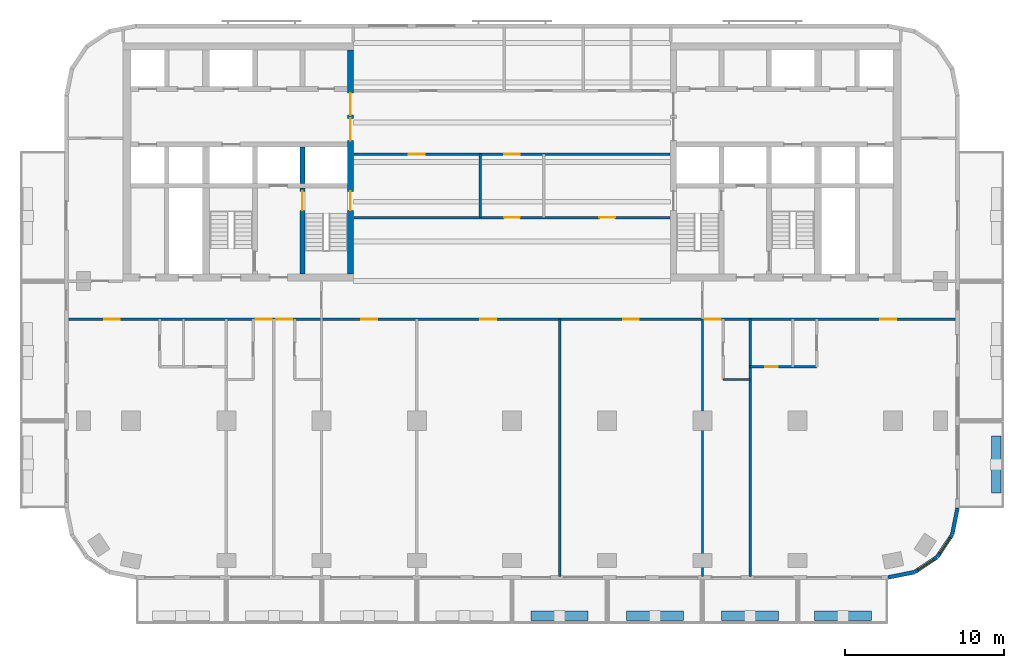
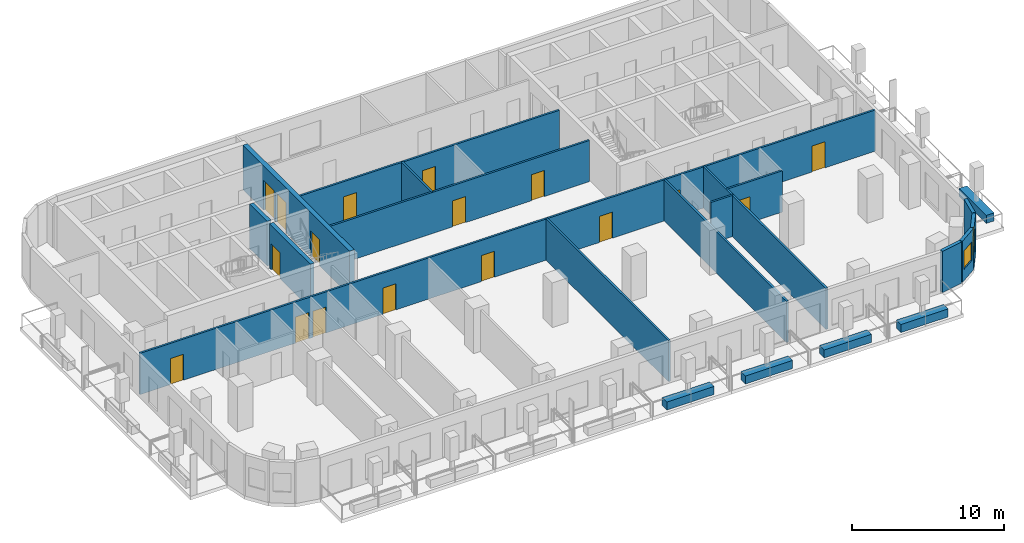
# One storey, part 4 of 11: 21 walls, 17 doors, 2 windows, 19 openings.
"""IFC4 building model written with IfcOpenShell, lengths in metres."""

from ifc_helpers import new_model, si_unit, direction, frame, frame_2d, origin, place, context, subcontext, project, spatial, rectangle, extrude, material, layer, layer_set, type_object, element, fill, save


model = new_model("IFC4")

# Units and contexts
model_context = context("Model", 3, precision=1e-05, world=origin(), true_north=direction((0.0, 1.0)))
body_context = subcontext(model_context, "Body", "Model", "MODEL_VIEW")
ifc_project = project(units=[si_unit("LENGTHUNIT", "METRE"), si_unit("AREAUNIT", "SQUARE_METRE"), si_unit("VOLUMEUNIT", "CUBIC_METRE"), si_unit("PLANEANGLEUNIT", "RADIAN"), si_unit("MASSUNIT", "GRAM", prefix="KILO")], contexts=[model_context])

# Site, building, storey
site_placement = place(None, origin())
site = spatial("IfcSite", under=ifc_project, at=site_placement, CompositionType="ELEMENT")
building_placement = place(site_placement, origin())
building = spatial("IfcBuilding", under=site, at=building_placement, Name="Torana Hotel and Residences", CompositionType="ELEMENT")
storey_placement = place(building_placement, frame((0.0, 0.0, 141.60009765625)))
storey = spatial("IfcBuildingStorey", under=building, at=storey_placement, Name="L36", CompositionType="ELEMENT", Elevation=141.60009765625)

# Wall
ifc_material_1 = material(Name="Concrete C70/85", Category="concrete")
ifc_layer_1 = layer(ifc_material_1, 0.300048828125)
ifc_layer_set_1 = layer_set([ifc_layer_1], Name="CORE WALL 300 C70/85")
wall_type_1 = type_object("IfcWallType", Name="CORE WALL 300 C70/85", PredefinedType="SHEAR", material=ifc_layer_set_1)
wall_1_placement = place(storey_placement, frame((-13.199951171875, -8.85009765625, 0.0), z_axis=(0.0, 0.0, 1.0), x_axis=(0.0, 1.0, 0.0)))
element("IfcWall", 1, at=wall_1_placement, inside=storey, type_object=wall_type_1, Name="Core wall W x3.05-S", PredefinedType="SHEAR", context=body_context, shape_type="SweptSolid", body=[
    extrude(rectangle(XDim=2.300048828125, YDim=0.300048828125, at=frame_2d((1.14990234375, 0.0))), origin(), (0.0, 0.0, 1.0), 3.599853515625),
])

# Wall, opening, door
wall_2_placement = place(storey_placement, frame((-13.199951171875, -14.550048828125, 0.0), z_axis=(0.0, 0.0, 1.0), x_axis=(0.0, 1.0, 0.0)))
wall_2 = element("IfcWall", 2, at=wall_2_placement, inside=storey, type_object=wall_type_1, Name="Core wall W x3.05-band", PredefinedType="SHEAR", context=body_context, shape_type="SweptSolid", body=[
    extrude(rectangle(XDim=5.400146484375, YDim=0.300048828125, at=frame_2d((2.7001953125, 0.0))), origin(), (0.0, 0.0, 1.0), 3.599853515625),
])
opening_1_placement = place(wall_2_placement, frame((4.0, 0.0, 0.0)))
opening_1 = element("IfcOpeningElement", 3, at=opening_1_placement, cuts=wall_2, Name="Opening L36-12", PredefinedType="OPENING", context=body_context, shape_type="SweptSolid", body=[
    extrude(rectangle(XDim=1.199951171875, YDim=2.10009765625, at=frame_2d((0.60009765625, 1.050048828125))), frame((0.0, 0.159912109375, 0.0), z_axis=(0.0, -1.0, 0.0), x_axis=(1.0, 0.0, 0.0)), (0.0, 0.0, 1.0), 0.320068359375),
])
ifc_material_2 = material(Name="Steel S235", Category="steel")
door_type_1 = type_object("IfcDoorType", Name="STAIR FIRE DOOR D3 1200x2100", OperationType="SINGLE_SWING_LEFT", PredefinedType="DOOR", material=ifc_material_2)
door_1_placement = place(opening_1_placement, frame((0.60009765625, 0.0, 0.0), z_axis=(0.0, 0.0, 1.0), x_axis=(-1.0, 0.0, 0.0)))
door_1 = element("IfcDoor", 4, at=door_1_placement, inside=storey, type_object=door_type_1, Name="Stair-A-lobby door L36", OperationType="SINGLE_SWING_RIGHT", OverallHeight=2.10009765625, OverallWidth=1.199951171875, PredefinedType="DOOR", context=body_context, shape_type="SweptSolid", body=[
    extrude(rectangle(XDim=1.199951171875, YDim=2.10009765625, at=frame_2d((0.0, 1.050048828125))), frame((0.0, -0.02490234375, 0.0), z_axis=(0.0, 1.0, 0.0), x_axis=(-1.0, 0.0, 0.0)), (0.0, 0.0, 1.0), 0.050048828125),
])
fill(opening_1, door_1)

# Wall, openings, doors
ifc_material_3 = material(Name="Concrete C70/85", Category="concrete")
ifc_layer_2 = layer(ifc_material_3, 0.35009765625)
ifc_layer_set_2 = layer_set([ifc_layer_2], Name="CORE WALL 350 C70/85")
wall_type_2 = type_object("IfcWallType", Name="CORE WALL 350 C70/85", PredefinedType="SHEAR", material=ifc_layer_set_2)
wall_3_placement = place(storey_placement, frame((-10.175048828125, -14.550048828125, 0.0), z_axis=(0.0, 0.0, 1.0), x_axis=(0.0, 1.0, 0.0)))
wall_3 = element("IfcWall", 5, at=wall_3_placement, inside=storey, type_object=wall_type_2, Name="Core wall W arch", PredefinedType="SHEAR", context=body_context, shape_type="SweptSolid", body=[
    extrude(rectangle(XDim=14.10009765625, YDim=0.35009765625, at=frame_2d((7.050048828125, 0.0))), origin(), (0.0, 0.0, 1.0), 3.599853515625),
])
opening_2_placement = place(wall_3_placement, frame((8.39990234375, 0.0, 0.0)))
opening_2 = element("IfcOpeningElement", 6, at=opening_2_placement, cuts=wall_3, Name="Opening L36-01", PredefinedType="OPENING", context=body_context, shape_type="SweptSolid", body=[
    extrude(rectangle(XDim=1.39990234375, YDim=2.39990234375, at=frame_2d((0.699951171875, 1.199951171875))), frame((0.0, 0.18505859375, 0.0), z_axis=(0.0, -1.0, 0.0), x_axis=(1.0, 0.0, 0.0)), (0.0, 0.0, 1.0), 0.3701171875),
])
opening_3_placement = place(wall_3_placement, frame((10.0, 0.0, 0.0)))
opening_3 = element("IfcOpeningElement", 7, at=opening_3_placement, cuts=wall_3, Name="Opening L36-02", PredefinedType="OPENING", context=body_context, shape_type="SweptSolid", body=[
    extrude(rectangle(XDim=1.39990234375, YDim=2.39990234375, at=frame_2d((0.699951171875, 1.199951171875))), frame((0.0, 0.18505859375, 0.0), z_axis=(0.0, -1.0, 0.0), x_axis=(1.0, 0.0, 0.0)), (0.0, 0.0, 1.0), 0.3701171875),
])
opening_4_placement = place(wall_3_placement, frame((4.0, 0.0, 0.0)))
opening_4 = element("IfcOpeningElement", 8, at=opening_4_placement, cuts=wall_3, Name="Opening L36-03", PredefinedType="OPENING", context=body_context, shape_type="SweptSolid", body=[
    extrude(rectangle(XDim=1.199951171875, YDim=2.10009765625, at=frame_2d((0.60009765625, 1.050048828125))), frame((0.0, 0.18505859375, 0.0), z_axis=(0.0, -1.0, 0.0), x_axis=(1.0, 0.0, 0.0)), (0.0, 0.0, 1.0), 0.3701171875),
])
ifc_material_4 = material(Name="Steel S235", Category="steel")
door_type_2 = type_object("IfcDoorType", Name="LOBBY FIRE DOOR D4 1400x2400", OperationType="DOUBLE_DOOR_SINGLE_SWING", PredefinedType="DOOR", material=ifc_material_4)
door_2_placement = place(opening_2_placement, origin())
door_2 = element("IfcDoor", 9, at=door_2_placement, inside=storey, type_object=door_type_2, Name="Lobby-1 door L36", OperationType="DOUBLE_DOOR_SINGLE_SWING", OverallHeight=2.39990234375, OverallWidth=1.39990234375, PredefinedType="DOOR", context=body_context, shape_type="SweptSolid", body=[
    extrude(rectangle(XDim=1.39990234375, YDim=2.39990234375, at=frame_2d((0.699951171875, 1.199951171875))), frame((0.0, 0.02490234375, 0.0), z_axis=(0.0, -1.0, 0.0), x_axis=(1.0, 0.0, 0.0)), (0.0, 0.0, 1.0), 0.050048828125),
])
fill(opening_2, door_2)
door_3_placement = place(opening_3_placement, origin())
door_3 = element("IfcDoor", 10, at=door_3_placement, inside=storey, type_object=door_type_2, Name="Lobby-2 door L36", OperationType="DOUBLE_DOOR_SINGLE_SWING", OverallHeight=2.39990234375, OverallWidth=1.39990234375, PredefinedType="DOOR", context=body_context, shape_type="SweptSolid", body=[
    extrude(rectangle(XDim=1.39990234375, YDim=2.39990234375, at=frame_2d((0.699951171875, 1.199951171875))), frame((0.0, 0.02490234375, 0.0), z_axis=(0.0, -1.0, 0.0), x_axis=(1.0, 0.0, 0.0)), (0.0, 0.0, 1.0), 0.050048828125),
])
fill(opening_3, door_3)
door_4_placement = place(opening_4_placement, origin())
door_4 = element("IfcDoor", 11, at=door_4_placement, inside=storey, type_object=door_type_1, Name="Stair-A door L36", OperationType="SINGLE_SWING_LEFT", OverallHeight=2.10009765625, OverallWidth=1.199951171875, PredefinedType="DOOR", context=body_context, shape_type="SweptSolid", body=[
    extrude(rectangle(XDim=1.199951171875, YDim=2.10009765625, at=frame_2d((0.60009765625, 1.050048828125))), frame((0.0, 0.02490234375, 0.0), z_axis=(0.0, -1.0, 0.0), x_axis=(1.0, 0.0, 0.0)), (0.0, 0.0, 1.0), 0.050048828125),
])
fill(opening_4, door_4)

# Wall
ifc_material_5 = material(Name="Black aluminium composite panel", Category="aluminium")
ifc_layer_3 = layer(ifc_material_5, 0.00390625, Name="Cladding", Category="cladding")
ifc_material_6 = material(Name="Ventilated air cavity")
ifc_layer_4 = layer(ifc_material_6, 0.0400390625, Name="Ventilated cavity", Category="cavity")
ifc_material_7 = material(Name="Mineral wool insulation")
ifc_layer_5 = layer(ifc_material_7, 0.090087890625, Name="Insulation", Category="insulation")
ifc_material_8 = material(Name="Steel S280GD", Category="steel")
ifc_layer_6 = layer(ifc_material_8, 0.092041015625, Name="Steel stud frame", Category="structure")
ifc_material_9 = material(Name="Fire rated plasterboard")
ifc_layer_7 = layer(ifc_material_9, 0.011962890625, Name="Inner board", Category="finish")
ifc_layer_8 = layer(ifc_material_9, 0.011962890625, Name="Second board", Category="finish")
ifc_layer_set_3 = layer_set([ifc_layer_3, ifc_layer_4, ifc_layer_5, ifc_layer_6, ifc_layer_7, ifc_layer_8], Name="EW1 EXTERNAL WALL BLACK METAL CLAD 250")
wall_type_3 = type_object("IfcWallType", Name="EW1 EXTERNAL WALL BLACK METAL CLAD 250", PredefinedType="SOLIDWALL", material=ifc_layer_set_3)
wall_4_placement = place(storey_placement, frame((23.69970703125, -33.672607421875, 0.0), z_axis=(0.0, 0.0, 1.0), x_axis=(0.980775640221, 0.19513878023, 0.0)))
element("IfcWall", 12, at=wall_4_placement, inside=storey, type_object=wall_type_3, Name="External wall L36 e0.15", PredefinedType="SOLIDWALL", context=body_context, shape_type="SweptSolid", body=[
    extrude(rectangle(XDim=1.681396484375, YDim=0.25, at=frame_2d((0.8408203125, 0.0))), origin(), (0.0, 0.0, 1.0), 3.31982421875),
])

# Wall, opening, window
wall_5_placement = place(storey_placement, frame((25.39404296875, -33.325927734375, 0.0), z_axis=(0.0, 0.0, 1.0), x_axis=(0.831482937015, 0.55555029066, 0.0)))
wall_5 = element("IfcWall", 13, at=wall_5_placement, inside=storey, type_object=wall_type_3, Name="External wall L36 e0.16", PredefinedType="SOLIDWALL", context=body_context, shape_type="SweptSolid", body=[
    extrude(rectangle(XDim=1.65625, YDim=0.25, at=frame_2d((0.828125, 0.0))), origin(), (0.0, 0.0, 1.0), 3.31982421875),
])
opening_5_placement = place(wall_5_placement, frame((0.228271484375, 0.0, 0.89990234375)))
opening_5 = element("IfcOpeningElement", 14, at=opening_5_placement, cuts=wall_5, Name="Opening W5", PredefinedType="OPENING", context=body_context, shape_type="SweptSolid", body=[
    extrude(rectangle(XDim=1.199951171875, YDim=1.5, at=frame_2d((0.60009765625, 0.75))), frame((0.0, 0.135009765625, 0.0), z_axis=(0.0, -1.0, 0.0), x_axis=(1.0, 0.0, 0.0)), (0.0, 0.0, 1.0), 0.27001953125),
])
ifc_material_10 = material(Name="Dark glass in black aluminium frame", Category="aluminium")
window_type = type_object("IfcWindowType", Name="W5 CORNER FACET WINDOW 1200x1500", PartitioningType="SINGLE_PANEL", PredefinedType="WINDOW", material=ifc_material_10)
window_1_placement = place(opening_5_placement, origin())
window_1 = element("IfcWindow", 15, at=window_1_placement, inside=storey, type_object=window_type, Name="Window L36 e0.16", OverallHeight=1.5, OverallWidth=1.199951171875, PartitioningType="SINGLE_PANEL", PredefinedType="WINDOW", context=body_context, shape_type="SweptSolid", body=[
    extrude(rectangle(XDim=1.199951171875, YDim=1.5, at=frame_2d((0.60009765625, 0.75))), frame((0.0, 0.030029296875, 0.0), z_axis=(0.0, -1.0, 0.0), x_axis=(1.0, 0.0, 0.0)), (0.0, 0.0, 1.0), 0.06005859375),
])
fill(opening_5, window_1)

wall_6_placement = place(storey_placement, frame((26.8056640625, -32.37109375, 0.0), z_axis=(0.0, 0.0, 1.0), x_axis=(0.55555029066, 0.831482937015, 0.0)))
wall_6 = element("IfcWall", 16, at=wall_6_placement, inside=storey, type_object=wall_type_3, Name="External wall L36 e0.17", PredefinedType="SOLIDWALL", context=body_context, shape_type="SweptSolid", body=[
    extrude(rectangle(XDim=1.65625, YDim=0.25, at=frame_2d((0.828125, 0.0))), origin(), (0.0, 0.0, 1.0), 3.31982421875),
])
opening_6_placement = place(wall_6_placement, frame((0.228271484375, 0.0, 0.89990234375)))
opening_6 = element("IfcOpeningElement", 17, at=opening_6_placement, cuts=wall_6, Name="Opening W5", PredefinedType="OPENING", context=body_context, shape_type="SweptSolid", body=[
    extrude(rectangle(XDim=1.199951171875, YDim=1.5, at=frame_2d((0.60009765625, 0.75))), frame((0.0, 0.135009765625, 0.0), z_axis=(0.0, -1.0, 0.0), x_axis=(1.0, 0.0, 0.0)), (0.0, 0.0, 1.0), 0.27001953125),
])
window_2_placement = place(opening_6_placement, origin())
window_2 = element("IfcWindow", 18, at=window_2_placement, inside=storey, type_object=window_type, Name="Window L36 e0.17", OverallHeight=1.5, OverallWidth=1.199951171875, PartitioningType="SINGLE_PANEL", PredefinedType="WINDOW", context=body_context, shape_type="SweptSolid", body=[
    extrude(rectangle(XDim=1.199951171875, YDim=1.5, at=frame_2d((0.60009765625, 0.75))), frame((0.0, 0.030029296875, 0.0), z_axis=(0.0, -1.0, 0.0), x_axis=(1.0, 0.0, 0.0)), (0.0, 0.0, 1.0), 0.06005859375),
])
fill(opening_6, window_2)

# Walls
wall_7_placement = place(storey_placement, frame((27.74462890625, -30.948974609375, 0.0), z_axis=(0.0, 0.0, 1.0), x_axis=(0.194999110559, 0.980803419081, 0.0)))
element("IfcWall", 19, at=wall_7_placement, inside=storey, type_object=wall_type_3, Name="External wall L36 e0.18", PredefinedType="SOLIDWALL", context=body_context, shape_type="SweptSolid", body=[
    extrude(rectangle(XDim=1.681396484375, YDim=0.25, at=frame_2d((0.8408203125, 0.0))), origin(), (0.0, 0.0, 1.0), 3.31982421875),
])
ifc_material_11 = material(Name="Gypsum plaster")
ifc_layer_9 = layer(ifc_material_11, 0.014892578125, Name="Plaster", Category="finish")
ifc_material_12 = material(Name="Concrete blockwork", Category="masonry")
ifc_layer_10 = layer(ifc_material_12, 0.1201171875, Name="Blockwork", Category="structure")
ifc_layer_11 = layer(ifc_material_11, 0.014892578125, Name="Plaster", Category="finish")
ifc_layer_set_4 = layer_set([ifc_layer_9, ifc_layer_10, ifc_layer_11], Name="FIRE PARTITION 150 BLOCKWORK")
wall_type_4 = type_object("IfcWallType", Name="FIRE PARTITION 150 BLOCKWORK", PredefinedType="PARTITIONING", material=ifc_layer_set_4)
wall_8_placement = place(storey_placement, frame((-2.0, -11.0, 0.0), z_axis=(0.0, 0.0, 1.0), x_axis=(0.0, 1.0, 0.0)))
element("IfcWall", 20, at=wall_8_placement, inside=storey, type_object=wall_type_4, Name="Partition L36", PredefinedType="PARTITIONING", context=body_context, shape_type="SweptSolid", body=[
    extrude(rectangle(XDim=4.0, YDim=0.14990234375, at=frame_2d((2.0, 0.0))), origin(), (0.0, 0.0, 1.0), 3.31982421875),
])

# Wall, openings, doors
wall_9_placement = place(storey_placement, frame((-28.02001953125, -17.39990234375, 0.0), z_axis=(0.0, 0.0, 1.0), x_axis=(1.0, 0.0, 0.0)))
wall_9 = element("IfcWall", 21, at=wall_9_placement, inside=storey, type_object=wall_type_4, Name="Partition L36", PredefinedType="PARTITIONING", context=body_context, shape_type="SweptSolid", body=[
    extrude(rectangle(XDim=56.0400390625, YDim=0.14990234375, at=frame_2d((28.02001953125, 0.0))), origin(), (0.0, 0.0, 1.0), 3.31982421875),
])
opening_7_placement = place(wall_9_placement, frame((13.169921875, 0.0, 0.0)))
opening_7 = element("IfcOpeningElement", 22, at=opening_7_placement, cuts=wall_9, Name="Opening L36-28", PredefinedType="OPENING", context=body_context, shape_type="SweptSolid", body=[
    extrude(rectangle(XDim=1.0, YDim=2.10009765625, at=frame_2d((0.5, 1.050048828125))), frame((0.0, 0.0849609375, 0.0), z_axis=(0.0, -1.0, 0.0), x_axis=(1.0, 0.0, 0.0)), (0.0, 0.0, 1.0), 0.169921875),
])
opening_8_placement = place(wall_9_placement, frame((11.8701171875, 0.0, 0.0)))
opening_8 = element("IfcOpeningElement", 23, at=opening_8_placement, cuts=wall_9, Name="Opening L36-29", PredefinedType="OPENING", context=body_context, shape_type="SweptSolid", body=[
    extrude(rectangle(XDim=1.0, YDim=2.10009765625, at=frame_2d((0.5, 1.050048828125))), frame((0.0, 0.0849609375, 0.0), z_axis=(0.0, -1.0, 0.0), x_axis=(1.0, 0.0, 0.0)), (0.0, 0.0, 1.0), 0.169921875),
])
opening_9_placement = place(wall_9_placement, frame((2.320068359375, 0.0, 0.0)))
opening_9 = element("IfcOpeningElement", 24, at=opening_9_placement, cuts=wall_9, Name="Opening L36-30", PredefinedType="OPENING", context=body_context, shape_type="SweptSolid", body=[
    extrude(rectangle(XDim=1.0, YDim=2.10009765625, at=frame_2d((0.5, 1.050048828125))), frame((0.0, 0.0849609375, 0.0), z_axis=(0.0, -1.0, 0.0), x_axis=(1.0, 0.0, 0.0)), (0.0, 0.0, 1.0), 0.169921875),
])
opening_10_placement = place(wall_9_placement, frame((40.169921875, 0.0, 0.0)))
opening_10 = element("IfcOpeningElement", 25, at=opening_10_placement, cuts=wall_9, Name="Opening L36-33", PredefinedType="OPENING", context=body_context, shape_type="SweptSolid", body=[
    extrude(rectangle(XDim=1.0, YDim=2.10009765625, at=frame_2d((0.5, 1.050048828125))), frame((0.0, 0.0849609375, 0.0), z_axis=(0.0, -1.0, 0.0), x_axis=(1.0, 0.0, 0.0)), (0.0, 0.0, 1.0), 0.169921875),
])
opening_11_placement = place(wall_9_placement, frame((51.219970703125, 0.0, 0.0)))
opening_11 = element("IfcOpeningElement", 26, at=opening_11_placement, cuts=wall_9, Name="Opening L36-34", PredefinedType="OPENING", context=body_context, shape_type="SweptSolid", body=[
    extrude(rectangle(XDim=1.0, YDim=2.10009765625, at=frame_2d((0.5, 1.050048828125))), frame((0.0, 0.0849609375, 0.0), z_axis=(0.0, -1.0, 0.0), x_axis=(1.0, 0.0, 0.0)), (0.0, 0.0, 1.0), 0.169921875),
])
opening_12_placement = place(wall_9_placement, frame((18.52001953125, 0.0, 0.0)))
opening_12 = element("IfcOpeningElement", 27, at=opening_12_placement, cuts=wall_9, Name="Opening L36-37", PredefinedType="OPENING", context=body_context, shape_type="SweptSolid", body=[
    extrude(rectangle(XDim=1.0, YDim=2.10009765625, at=frame_2d((0.5, 1.050048828125))), frame((0.0, 0.0849609375, 0.0), z_axis=(0.0, -1.0, 0.0), x_axis=(1.0, 0.0, 0.0)), (0.0, 0.0, 1.0), 0.169921875),
])
opening_13_placement = place(wall_9_placement, frame((26.02001953125, 0.0, 0.0)))
opening_13 = element("IfcOpeningElement", 28, at=opening_13_placement, cuts=wall_9, Name="Opening L36-38", PredefinedType="OPENING", context=body_context, shape_type="SweptSolid", body=[
    extrude(rectangle(XDim=1.0, YDim=2.10009765625, at=frame_2d((0.5, 1.050048828125))), frame((0.0, 0.0849609375, 0.0), z_axis=(0.0, -1.0, 0.0), x_axis=(1.0, 0.0, 0.0)), (0.0, 0.0, 1.0), 0.169921875),
])
opening_14_placement = place(wall_9_placement, frame((35.02001953125, 0.0, 0.0)))
opening_14 = element("IfcOpeningElement", 29, at=opening_14_placement, cuts=wall_9, Name="Opening L36-39", PredefinedType="OPENING", context=body_context, shape_type="SweptSolid", body=[
    extrude(rectangle(XDim=1.0, YDim=2.10009765625, at=frame_2d((0.5, 1.050048828125))), frame((0.0, 0.0849609375, 0.0), z_axis=(0.0, -1.0, 0.0), x_axis=(1.0, 0.0, 0.0)), (0.0, 0.0, 1.0), 0.169921875),
])
ifc_material_13 = material(Name="Steel S235", Category="steel")
door_type_3 = type_object("IfcDoorType", Name="ENTRY FIRE DOOR D6 1000x2100", OperationType="SINGLE_SWING_LEFT", PredefinedType="DOOR", material=ifc_material_13)
door_5_placement = place(opening_7_placement, frame((0.5, 0.0, 0.0), z_axis=(0.0, 0.0, 1.0), x_axis=(-1.0, 0.0, 0.0)))
door_5 = element("IfcDoor", 30, at=door_5_placement, inside=storey, type_object=door_type_3, Name="Door L36", OperationType="SINGLE_SWING_LEFT", OverallHeight=2.10009765625, OverallWidth=1.0, PredefinedType="DOOR", context=body_context, shape_type="SweptSolid", body=[
    extrude(rectangle(XDim=1.0, YDim=2.10009765625, at=frame_2d((0.0, 1.050048828125))), frame((0.0, -0.02490234375, 0.0), z_axis=(0.0, 1.0, 0.0), x_axis=(-1.0, 0.0, 0.0)), (0.0, 0.0, 1.0), 0.050048828125),
])
fill(opening_7, door_5)
door_6_placement = place(opening_8_placement, frame((0.5, 0.0, 0.0), z_axis=(0.0, 0.0, 1.0), x_axis=(-1.0, 0.0, 0.0)))
door_6 = element("IfcDoor", 31, at=door_6_placement, inside=storey, type_object=door_type_3, Name="Door L36", OperationType="SINGLE_SWING_LEFT", OverallHeight=2.10009765625, OverallWidth=1.0, PredefinedType="DOOR", context=body_context, shape_type="SweptSolid", body=[
    extrude(rectangle(XDim=1.0, YDim=2.10009765625, at=frame_2d((0.0, 1.050048828125))), frame((0.0, -0.02490234375, 0.0), z_axis=(0.0, 1.0, 0.0), x_axis=(-1.0, 0.0, 0.0)), (0.0, 0.0, 1.0), 0.050048828125),
])
fill(opening_8, door_6)
door_7_placement = place(opening_9_placement, frame((0.5, 0.0, 0.0), z_axis=(0.0, 0.0, 1.0), x_axis=(-1.0, 0.0, 0.0)))
door_7 = element("IfcDoor", 32, at=door_7_placement, inside=storey, type_object=door_type_3, Name="Door L36", OperationType="SINGLE_SWING_LEFT", OverallHeight=2.10009765625, OverallWidth=1.0, PredefinedType="DOOR", context=body_context, shape_type="SweptSolid", body=[
    extrude(rectangle(XDim=1.0, YDim=2.10009765625, at=frame_2d((0.0, 1.050048828125))), frame((0.0, -0.02490234375, 0.0), z_axis=(0.0, 1.0, 0.0), x_axis=(-1.0, 0.0, 0.0)), (0.0, 0.0, 1.0), 0.050048828125),
])
fill(opening_9, door_7)
door_8_placement = place(opening_10_placement, frame((0.5, 0.0, 0.0), z_axis=(0.0, 0.0, 1.0), x_axis=(-1.0, 0.0, 0.0)))
door_8 = element("IfcDoor", 33, at=door_8_placement, inside=storey, type_object=door_type_3, Name="Door L36", OperationType="SINGLE_SWING_LEFT", OverallHeight=2.10009765625, OverallWidth=1.0, PredefinedType="DOOR", context=body_context, shape_type="SweptSolid", body=[
    extrude(rectangle(XDim=1.0, YDim=2.10009765625, at=frame_2d((0.0, 1.050048828125))), frame((0.0, -0.02490234375, 0.0), z_axis=(0.0, 1.0, 0.0), x_axis=(-1.0, 0.0, 0.0)), (0.0, 0.0, 1.0), 0.050048828125),
])
fill(opening_10, door_8)
door_9_placement = place(opening_11_placement, frame((0.5, 0.0, 0.0), z_axis=(0.0, 0.0, 1.0), x_axis=(-1.0, 0.0, 0.0)))
door_9 = element("IfcDoor", 34, at=door_9_placement, inside=storey, type_object=door_type_3, Name="Door L36", OperationType="SINGLE_SWING_LEFT", OverallHeight=2.10009765625, OverallWidth=1.0, PredefinedType="DOOR", context=body_context, shape_type="SweptSolid", body=[
    extrude(rectangle(XDim=1.0, YDim=2.10009765625, at=frame_2d((0.0, 1.050048828125))), frame((0.0, -0.02490234375, 0.0), z_axis=(0.0, 1.0, 0.0), x_axis=(-1.0, 0.0, 0.0)), (0.0, 0.0, 1.0), 0.050048828125),
])
fill(opening_11, door_9)
door_10_placement = place(opening_12_placement, frame((0.5, 0.0, 0.0), z_axis=(0.0, 0.0, 1.0), x_axis=(-1.0, 0.0, 0.0)))
door_10 = element("IfcDoor", 35, at=door_10_placement, inside=storey, type_object=door_type_3, Name="Door L36", OperationType="SINGLE_SWING_LEFT", OverallHeight=2.10009765625, OverallWidth=1.0, PredefinedType="DOOR", context=body_context, shape_type="SweptSolid", body=[
    extrude(rectangle(XDim=1.0, YDim=2.10009765625, at=frame_2d((0.0, 1.050048828125))), frame((0.0, -0.02490234375, 0.0), z_axis=(0.0, 1.0, 0.0), x_axis=(-1.0, 0.0, 0.0)), (0.0, 0.0, 1.0), 0.050048828125),
])
fill(opening_12, door_10)
door_11_placement = place(opening_13_placement, frame((0.5, 0.0, 0.0), z_axis=(0.0, 0.0, 1.0), x_axis=(-1.0, 0.0, 0.0)))
door_11 = element("IfcDoor", 36, at=door_11_placement, inside=storey, type_object=door_type_3, Name="Door L36", OperationType="SINGLE_SWING_LEFT", OverallHeight=2.10009765625, OverallWidth=1.0, PredefinedType="DOOR", context=body_context, shape_type="SweptSolid", body=[
    extrude(rectangle(XDim=1.0, YDim=2.10009765625, at=frame_2d((0.0, 1.050048828125))), frame((0.0, -0.02490234375, 0.0), z_axis=(0.0, 1.0, 0.0), x_axis=(-1.0, 0.0, 0.0)), (0.0, 0.0, 1.0), 0.050048828125),
])
fill(opening_13, door_11)
door_12_placement = place(opening_14_placement, frame((0.5, 0.0, 0.0), z_axis=(0.0, 0.0, 1.0), x_axis=(-1.0, 0.0, 0.0)))
door_12 = element("IfcDoor", 37, at=door_12_placement, inside=storey, type_object=door_type_3, Name="Door L36", OperationType="SINGLE_SWING_LEFT", OverallHeight=2.10009765625, OverallWidth=1.0, PredefinedType="DOOR", context=body_context, shape_type="SweptSolid", body=[
    extrude(rectangle(XDim=1.0, YDim=2.10009765625, at=frame_2d((0.0, 1.050048828125))), frame((0.0, -0.02490234375, 0.0), z_axis=(0.0, 1.0, 0.0), x_axis=(-1.0, 0.0, 0.0)), (0.0, 0.0, 1.0), 0.050048828125),
])
fill(opening_14, door_12)

wall_10_placement = place(storey_placement, frame((-9.949951171875, -11.0, 0.0), z_axis=(0.0, 0.0, 1.0), x_axis=(1.0, 0.0, 0.0)))
wall_10 = element("IfcWall", 38, at=wall_10_placement, inside=storey, type_object=wall_type_4, Name="Partition L36", PredefinedType="PARTITIONING", context=body_context, shape_type="SweptSolid", body=[
    extrude(rectangle(XDim=19.89990234375, YDim=0.14990234375, at=frame_2d((9.949951171875, 0.0))), origin(), (0.0, 0.0, 1.0), 3.31982421875),
])
opening_15_placement = place(wall_10_placement, frame((9.449951171875, 0.0, 0.0)))
opening_15 = element("IfcOpeningElement", 39, at=opening_15_placement, cuts=wall_10, Name="Opening L36-36", PredefinedType="OPENING", context=body_context, shape_type="SweptSolid", body=[
    extrude(rectangle(XDim=1.0, YDim=2.10009765625, at=frame_2d((0.5, 1.050048828125))), frame((0.0, 0.0849609375, 0.0), z_axis=(0.0, -1.0, 0.0), x_axis=(1.0, 0.0, 0.0)), (0.0, 0.0, 1.0), 0.169921875),
])
opening_16_placement = place(wall_10_placement, frame((15.449951171875, 0.0, 0.0)))
opening_16 = element("IfcOpeningElement", 40, at=opening_16_placement, cuts=wall_10, Name="Opening L36-40", PredefinedType="OPENING", context=body_context, shape_type="SweptSolid", body=[
    extrude(rectangle(XDim=1.0, YDim=2.10009765625, at=frame_2d((0.5, 1.050048828125))), frame((0.0, 0.0849609375, 0.0), z_axis=(0.0, -1.0, 0.0), x_axis=(1.0, 0.0, 0.0)), (0.0, 0.0, 1.0), 0.169921875),
])
door_13_placement = place(opening_15_placement, origin())
door_13 = element("IfcDoor", 41, at=door_13_placement, inside=storey, type_object=door_type_3, Name="Door L36", OperationType="SINGLE_SWING_RIGHT", OverallHeight=2.10009765625, OverallWidth=1.0, PredefinedType="DOOR", context=body_context, shape_type="SweptSolid", body=[
    extrude(rectangle(XDim=1.0, YDim=2.10009765625, at=frame_2d((0.5, 1.050048828125))), frame((0.0, 0.02490234375, 0.0), z_axis=(0.0, -1.0, 0.0), x_axis=(1.0, 0.0, 0.0)), (0.0, 0.0, 1.0), 0.050048828125),
])
fill(opening_15, door_13)
door_14_placement = place(opening_16_placement, origin())
door_14 = element("IfcDoor", 42, at=door_14_placement, inside=storey, type_object=door_type_3, Name="Door L36", OperationType="SINGLE_SWING_RIGHT", OverallHeight=2.10009765625, OverallWidth=1.0, PredefinedType="DOOR", context=body_context, shape_type="SweptSolid", body=[
    extrude(rectangle(XDim=1.0, YDim=2.10009765625, at=frame_2d((0.5, 1.050048828125))), frame((0.0, 0.02490234375, 0.0), z_axis=(0.0, -1.0, 0.0), x_axis=(1.0, 0.0, 0.0)), (0.0, 0.0, 1.0), 0.050048828125),
])
fill(opening_16, door_14)

wall_11_placement = place(storey_placement, frame((-9.949951171875, -7.0, 0.0), z_axis=(0.0, 0.0, 1.0), x_axis=(1.0, 0.0, 0.0)))
wall_11 = element("IfcWall", 43, at=wall_11_placement, inside=storey, type_object=wall_type_4, Name="Partition L36", PredefinedType="PARTITIONING", context=body_context, shape_type="SweptSolid", body=[
    extrude(rectangle(XDim=19.89990234375, YDim=0.14990234375, at=frame_2d((9.949951171875, 0.0))), origin(), (0.0, 0.0, 1.0), 3.31982421875),
])
opening_17_placement = place(wall_11_placement, frame((9.449951171875, 0.0, 0.0)))
opening_17 = element("IfcOpeningElement", 44, at=opening_17_placement, cuts=wall_11, Name="Opening L36-41", PredefinedType="OPENING", context=body_context, shape_type="SweptSolid", body=[
    extrude(rectangle(XDim=1.0, YDim=2.10009765625, at=frame_2d((0.5, 1.050048828125))), frame((0.0, 0.0849609375, 0.0), z_axis=(0.0, -1.0, 0.0), x_axis=(1.0, 0.0, 0.0)), (0.0, 0.0, 1.0), 0.169921875),
])
opening_18_placement = place(wall_11_placement, frame((3.449951171875, 0.0, 0.0)))
opening_18 = element("IfcOpeningElement", 45, at=opening_18_placement, cuts=wall_11, Name="Opening L36-42", PredefinedType="OPENING", context=body_context, shape_type="SweptSolid", body=[
    extrude(rectangle(XDim=1.0, YDim=2.10009765625, at=frame_2d((0.5, 1.050048828125))), frame((0.0, 0.0849609375, 0.0), z_axis=(0.0, -1.0, 0.0), x_axis=(1.0, 0.0, 0.0)), (0.0, 0.0, 1.0), 0.169921875),
])
door_15_placement = place(opening_17_placement, origin())
door_15 = element("IfcDoor", 46, at=door_15_placement, inside=storey, type_object=door_type_3, Name="Door L36", OperationType="SINGLE_SWING_RIGHT", OverallHeight=2.10009765625, OverallWidth=1.0, PredefinedType="DOOR", context=body_context, shape_type="SweptSolid", body=[
    extrude(rectangle(XDim=1.0, YDim=2.10009765625, at=frame_2d((0.5, 1.050048828125))), frame((0.0, 0.02490234375, 0.0), z_axis=(0.0, -1.0, 0.0), x_axis=(1.0, 0.0, 0.0)), (0.0, 0.0, 1.0), 0.050048828125),
])
fill(opening_17, door_15)
door_16_placement = place(opening_18_placement, frame((0.5, 0.0, 0.0), z_axis=(0.0, 0.0, 1.0), x_axis=(-1.0, 0.0, 0.0)))
door_16 = element("IfcDoor", 47, at=door_16_placement, inside=storey, type_object=door_type_3, Name="Door L36", OperationType="SINGLE_SWING_LEFT", OverallHeight=2.10009765625, OverallWidth=1.0, PredefinedType="DOOR", context=body_context, shape_type="SweptSolid", body=[
    extrude(rectangle(XDim=1.0, YDim=2.10009765625, at=frame_2d((0.0, 1.050048828125))), frame((0.0, -0.02490234375, 0.0), z_axis=(0.0, 1.0, 0.0), x_axis=(-1.0, 0.0, 0.0)), (0.0, 0.0, 1.0), 0.050048828125),
])
fill(opening_18, door_16)

# Walls
ifc_material_14 = material(Name="Gypsum plasterboard")
ifc_layer_12 = layer(ifc_material_14, 0.012451171875, Name="Plasterboard", Category="finish")
ifc_layer_13 = layer(ifc_material_14, 0.012451171875, Name="Plasterboard", Category="finish")
ifc_layer_14 = layer(ifc_material_8, 0.10009765625, Name="Steel studs with mineral wool", Category="insulation")
ifc_layer_15 = layer(ifc_material_14, 0.012451171875, Name="Plasterboard", Category="finish")
ifc_layer_16 = layer(ifc_material_14, 0.012451171875, Name="Plasterboard", Category="finish")
ifc_layer_set_5 = layer_set([ifc_layer_12, ifc_layer_13, ifc_layer_14, ifc_layer_15, ifc_layer_16], Name="PARTITION 150 PLASTERBOARD")
wall_type_5 = type_object("IfcWallType", Name="PARTITION 150 PLASTERBOARD", PredefinedType="PARTITIONING", material=ifc_layer_set_5)
for number, where, z_axis, x_axis, name in (
    (48, (15.0, -33.6201171875, 0.0), (0.0, 0.0, 1.0), (0.0, 1.0, 0.0), "Partition L36"),
    (49, (12.0, -33.6201171875, 0.0), (0.0, 0.0, 1.0), (0.0, 1.0, 0.0), "Partition L36"),
    (50, (3.0, -33.6201171875, 0.0), (0.0, 0.0, 1.0), (0.0, 1.0, 0.0), "Partition L36"),
):
    element("IfcWall", number, at=place(storey_placement, frame(where, z_axis=z_axis, x_axis=x_axis)), inside=storey, type_object=wall_type_5, Name=name, PredefinedType="PARTITIONING", context=body_context, shape_type="SweptSolid", body=[
        extrude(rectangle(XDim=16.22021484375, YDim=0.14990234375, at=frame_2d((8.110107421875, 0.0))), origin(), (0.0, 0.0, 1.0), 3.31982421875),
    ])
wall_12_placement = place(storey_placement, frame((13.300048828125, -21.199951171875, 0.0), z_axis=(0.0, 0.0, 1.0), x_axis=(1.0, 0.0, 0.0)))
element("IfcWall", 51, at=wall_12_placement, inside=storey, type_object=wall_type_5, Name="Partition L36", PredefinedType="PARTITIONING", context=body_context, shape_type="SweptSolid", body=[
    extrude(rectangle(XDim=1.699951171875, YDim=0.14990234375, at=frame_2d((0.85009765625, 0.0))), origin(), (0.0, 0.0, 1.0), 3.31982421875),
])

# Wall, opening, door
wall_13_placement = place(storey_placement, frame((15.0, -20.39990234375, 0.0), z_axis=(0.0, 0.0, 1.0), x_axis=(1.0, 0.0, 0.0)))
wall_13 = element("IfcWall", 52, at=wall_13_placement, inside=storey, type_object=wall_type_5, Name="Partition L36", PredefinedType="PARTITIONING", context=body_context, shape_type="SweptSolid", body=[
    extrude(rectangle(XDim=4.199951171875, YDim=0.14990234375, at=frame_2d((2.10009765625, 0.0))), origin(), (0.0, 0.0, 1.0), 3.31982421875),
])
opening_19_placement = place(wall_13_placement, frame((0.949951171875, 0.0, 0.0)))
opening_19 = element("IfcOpeningElement", 53, at=opening_19_placement, cuts=wall_13, Name="Opening L36-52", PredefinedType="OPENING", context=body_context, shape_type="SweptSolid", body=[
    extrude(rectangle(XDim=0.800048828125, YDim=2.10009765625, at=frame_2d((0.39990234375, 1.050048828125))), frame((0.0, 0.0849609375, 0.0), z_axis=(0.0, -1.0, 0.0), x_axis=(1.0, 0.0, 0.0)), (0.0, 0.0, 1.0), 0.169921875),
])
ifc_material_15 = material(Name="Timber door, painted", Category="wood")
door_type_4 = type_object("IfcDoorType", Name="BATH DOOR D13 800x2100", OperationType="SINGLE_SWING_LEFT", PredefinedType="DOOR", material=ifc_material_15)
door_17_placement = place(opening_19_placement, origin())
door_17 = element("IfcDoor", 54, at=door_17_placement, inside=storey, type_object=door_type_4, Name="Door L36", OperationType="SINGLE_SWING_RIGHT", OverallHeight=2.10009765625, OverallWidth=0.800048828125, PredefinedType="DOOR", context=body_context, shape_type="SweptSolid", body=[
    extrude(rectangle(XDim=0.800048828125, YDim=2.10009765625, at=frame_2d((0.39990234375, 1.050048828125))), frame((0.0, 0.02490234375, 0.0), z_axis=(0.0, -1.0, 0.0), x_axis=(1.0, 0.0, 0.0)), (0.0, 0.0, 1.0), 0.050048828125),
])
fill(opening_19, door_17)

# Walls
ifc_material_16 = material(Name="Concrete C40/50 precast", Category="concrete")
ifc_layer_17 = layer(ifc_material_16, 0.10009765625, Name="Planter shell", Category="structure")
ifc_material_17 = material(Name="Root resistant membrane")
ifc_layer_18 = layer(ifc_material_17, 0.00390625, Name="Waterproofing membrane", Category="membrane")
ifc_material_18 = material(Name="Drainage board with filter fleece")
ifc_layer_19 = layer(ifc_material_18, 0.02001953125, Name="Drainage board", Category="drainage")
ifc_material_19 = material(Name="Growing medium")
ifc_layer_20 = layer(ifc_material_19, 0.47607421875, Name="Planting substrate", Category="soil")
ifc_layer_set_6 = layer_set([ifc_layer_17, ifc_layer_18, ifc_layer_19, ifc_layer_20], Name="PL1 BALCONY PLANTER 600")
wall_type_6 = type_object("IfcWallType", Name="PL1 BALCONY PLANTER 600", PredefinedType="USERDEFINED", material=ifc_layer_set_6)
for number, where, z_axis, x_axis, name in (
    (55, (4.800048828125, -36.10009765625, 0.0), (0.0, 0.0, 1.0), (-1.0, 0.0, 0.0), "Planter 05"),
    (56, (10.800048828125, -36.10009765625, 0.0), (0.0, 0.0, 1.0), (-1.0, 0.0, 0.0), "Planter 06"),
    (57, (16.800048828125, -36.10009765625, 0.0), (0.0, 0.0, 1.0), (-1.0, 0.0, 0.0), "Planter 07"),
):
    element("IfcWall", number, at=place(storey_placement, frame(where, z_axis=z_axis, x_axis=x_axis)), inside=storey, type_object=wall_type_6, Name=name, ObjectType="PLANTER", PredefinedType="USERDEFINED", context=body_context, shape_type="SweptSolid", body=[
        extrude(rectangle(XDim=3.60009765625, YDim=0.60009765625, at=frame_2d((1.800048828125, 0.0))), origin(), (0.0, 0.0, 1.0), 0.64990234375),
    ])
wall_14_placement = place(storey_placement, frame((22.64990234375, -36.10009765625, 0.0), z_axis=(0.0, 0.0, 1.0), x_axis=(-1.0, 0.0, 0.0)))
element("IfcWall", 58, at=wall_14_placement, inside=storey, type_object=wall_type_6, Name="Planter 08", ObjectType="PLANTER", PredefinedType="USERDEFINED", context=body_context, shape_type="SweptSolid", body=[
    extrude(rectangle(XDim=3.599853515625, YDim=0.60009765625, at=frame_2d((1.7998046875, 0.0))), origin(), (0.0, 0.0, 1.0), 0.64990234375),
])
wall_15_placement = place(storey_placement, frame((30.5, -24.75, 0.0), z_axis=(0.0, 0.0, 1.0), x_axis=(0.0, -1.0, 0.0)))
element("IfcWall", 59, at=wall_15_placement, inside=storey, type_object=wall_type_6, Name="Planter 12", ObjectType="PLANTER", PredefinedType="USERDEFINED", context=body_context, shape_type="SweptSolid", body=[
    extrude(rectangle(XDim=3.60009765625, YDim=0.60009765625, at=frame_2d((1.800048828125, 0.0))), origin(), (0.0, 0.0, 1.0), 0.64990234375),
])

save(model, "model.ifc")
